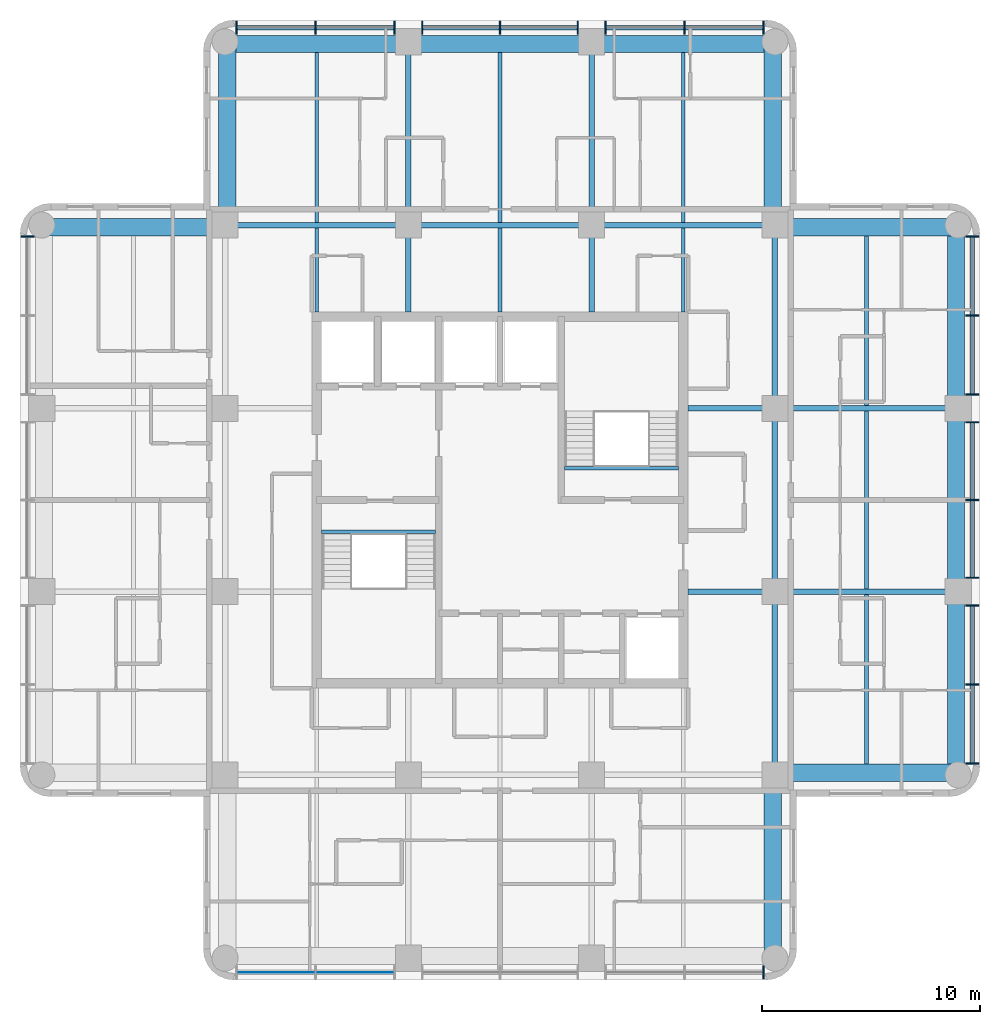
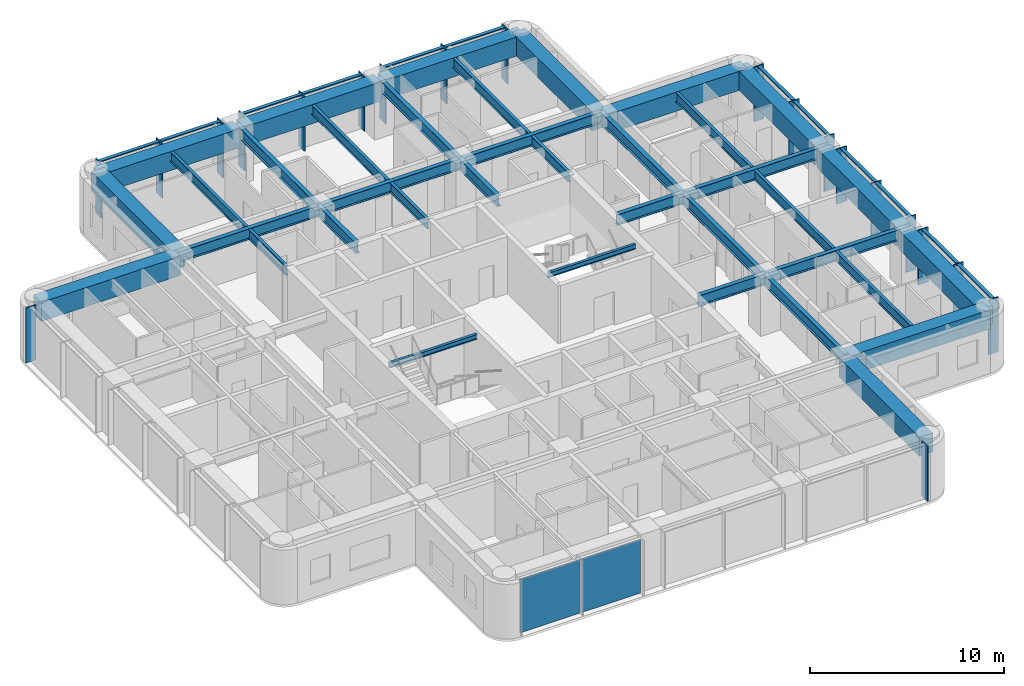
# One storey, part 2 of 10: 37 beams, 32 members, 2 plates, 4 elements without a shape of their own.
"""IFC4 building model written with IfcOpenShell, lengths in metres."""

from ifc_helpers import new_model, si_unit, direction, frame, origin, origin_2d, place, context, subcontext, project, spatial, rectangle, i_section, extrude, material, layer, layer_set, material_profile, profile_set, type_object, element, aggregate, save


model = new_model("IFC4")

# Units and contexts
model_context = context("Model", 3, precision=1e-05, world=origin(), true_north=direction((0.0, 1.0)))
body_context = subcontext(model_context, "Body", "Model", "MODEL_VIEW")
ifc_project = project(units=[si_unit("LENGTHUNIT", "METRE"), si_unit("AREAUNIT", "SQUARE_METRE"), si_unit("VOLUMEUNIT", "CUBIC_METRE"), si_unit("PLANEANGLEUNIT", "RADIAN"), si_unit("MASSUNIT", "GRAM", prefix="KILO")], contexts=[model_context])

# Site, building, storey
site_placement = place(None, origin())
site = spatial("IfcSite", under=ifc_project, at=site_placement, CompositionType="ELEMENT")
building_placement = place(site_placement, origin())
building = spatial("IfcBuilding", under=site, at=building_placement, Name="Torre Alcanfor", CompositionType="ELEMENT")
storey_placement = place(building_placement, frame((0.0, 0.0, 293.699951171875)))
storey = spatial("IfcBuildingStorey", under=building, at=storey_placement, Name="L77", CompositionType="ELEMENT", Elevation=293.699951171875)

# Curtain wall, member
ifc_material_1 = material(Name="Aluminium and glass", Category="aluminium")
curtain_wall_type = type_object("IfcCurtainWallType", Name="CW-A unitised apartment glazing with vertical FIN", PredefinedType="NOTDEFINED", material=ifc_material_1)
curtain_wall_1_placement = place(storey_placement, origin())
curtain_wall_1 = element("IfcCurtainWall", 1, at=curtain_wall_1_placement, inside=storey, type_object=curtain_wall_type, Name="Curtain wall CW-A L77 2", PredefinedType="NOTDEFINED")
ifc_material_2 = material(Name="Bronze anodised aluminium", Category="aluminium")
ifc_material_profile_1 = material_profile(ifc_material_2, rectangle(XDim=0.60009765625, YDim=0.06494140625, at=origin_2d()), Name="CW-A mullion 65x600")
ifc_profile_set_1 = profile_set([ifc_material_profile_1], Name="Bronze anodised aluminium")
member_type_1 = type_object("IfcMemberType", Name="CW-A mullion with vertical FIN 65x600", PredefinedType="MULLION", material=ifc_profile_set_1)
member_1_placement = place(storey_placement, frame((7.75, 41.47412109375, 0.0), z_axis=(0.0, 0.0, 1.0), x_axis=(1.0, 0.0, 0.0)))
member_1 = element("IfcMember", 2, at=member_1_placement, type_object=member_type_1, Name="CW-A mullion 1.1", PredefinedType="MULLION", context=body_context, shape_type="SweptSolid", body=[
    extrude(rectangle(XDim=0.60009765625, YDim=0.06494140625, at=origin_2d()), origin(), (0.0, 0.0, 1.0), 3.449951171875),
])
aggregate(curtain_wall_1, [member_1])

curtain_wall_2_placement = place(storey_placement, origin())
curtain_wall_2 = element("IfcCurtainWall", 3, at=curtain_wall_2_placement, inside=storey, type_object=curtain_wall_type, Name="Curtain wall CW-A L77 5", PredefinedType="NOTDEFINED")
member_2_placement = place(storey_placement, frame((41.47412109375, 7.75, 0.0), z_axis=(0.0, 0.0, 1.0), x_axis=(0.0, 1.0, 0.0)))
member_2 = element("IfcMember", 4, at=member_2_placement, type_object=member_type_1, Name="CW-A mullion 3.3", PredefinedType="MULLION", context=body_context, shape_type="SweptSolid", body=[
    extrude(rectangle(XDim=0.60009765625, YDim=0.06494140625, at=origin_2d()), origin(), (0.0, 0.0, 1.0), 3.449951171875),
])

# Curtain wall, members
curtain_wall_3_placement = place(storey_placement, origin())
curtain_wall_3 = element("IfcCurtainWall", 5, at=curtain_wall_3_placement, inside=storey, type_object=curtain_wall_type, Name="Curtain wall CW-A L77 8", PredefinedType="NOTDEFINED")
member_3_placement = place(storey_placement, frame((51.050048828125, 17.325927734375, 0.0), z_axis=(0.0, 0.0, 1.0), x_axis=(-1.0, 0.0, 0.0)))
member_3 = element("IfcMember", 6, at=member_3_placement, type_object=member_type_1, Name="CW-A mullion 1.1", PredefinedType="MULLION", context=body_context, shape_type="SweptSolid", body=[
    extrude(rectangle(XDim=0.60009765625, YDim=0.06494140625, at=origin_2d()), origin(), (0.0, 0.0, 1.0), 3.449951171875),
])
member_4_placement = place(storey_placement, frame((51.050048828125, 20.9443359375, 0.0), z_axis=(0.0, 0.0, 1.0), x_axis=(-1.0, 0.0, 0.0)))
member_4 = element("IfcMember", 7, at=member_4_placement, type_object=member_type_1, Name="CW-A mullion 1.2", PredefinedType="MULLION", context=body_context, shape_type="SweptSolid", body=[
    extrude(rectangle(XDim=0.60009765625, YDim=0.06494140625, at=origin_2d()), origin(), (0.0, 0.0, 1.0), 3.449951171875),
])
member_5_placement = place(storey_placement, frame((51.050048828125, 24.5625, 0.0), z_axis=(0.0, 0.0, 1.0), x_axis=(-1.0, 0.0, 0.0)))
member_5 = element("IfcMember", 8, at=member_5_placement, type_object=member_type_1, Name="CW-A mullion 1.3", PredefinedType="MULLION", context=body_context, shape_type="SweptSolid", body=[
    extrude(rectangle(XDim=0.60009765625, YDim=0.06494140625, at=origin_2d()), origin(), (0.0, 0.0, 1.0), 3.449951171875),
])
member_6_placement = place(storey_placement, frame((51.050048828125, 25.83740234375, 0.0), z_axis=(0.0, 0.0, 1.0), x_axis=(-1.0, 0.0, 0.0)))
member_6 = element("IfcMember", 9, at=member_6_placement, type_object=member_type_1, Name="CW-A mullion 2.1", PredefinedType="MULLION", context=body_context, shape_type="SweptSolid", body=[
    extrude(rectangle(XDim=0.60009765625, YDim=0.06494140625, at=origin_2d()), origin(), (0.0, 0.0, 1.0), 3.449951171875),
])
member_7_placement = place(storey_placement, frame((51.050048828125, 29.39990234375, 0.0), z_axis=(0.0, 0.0, 1.0), x_axis=(-1.0, 0.0, 0.0)))
member_7 = element("IfcMember", 10, at=member_7_placement, type_object=member_type_1, Name="CW-A mullion 2.2", PredefinedType="MULLION", context=body_context, shape_type="SweptSolid", body=[
    extrude(rectangle(XDim=0.60009765625, YDim=0.06494140625, at=origin_2d()), origin(), (0.0, 0.0, 1.0), 3.449951171875),
])
member_8_placement = place(storey_placement, frame((51.050048828125, 32.96240234375, 0.0), z_axis=(0.0, 0.0, 1.0), x_axis=(-1.0, 0.0, 0.0)))
member_8 = element("IfcMember", 11, at=member_8_placement, type_object=member_type_1, Name="CW-A mullion 2.3", PredefinedType="MULLION", context=body_context, shape_type="SweptSolid", body=[
    extrude(rectangle(XDim=0.60009765625, YDim=0.06494140625, at=origin_2d()), origin(), (0.0, 0.0, 1.0), 3.449951171875),
])
member_9_placement = place(storey_placement, frame((51.050048828125, 34.237548828125, 0.0), z_axis=(0.0, 0.0, 1.0), x_axis=(-1.0, 0.0, 0.0)))
member_9 = element("IfcMember", 12, at=member_9_placement, type_object=member_type_1, Name="CW-A mullion 3.1", PredefinedType="MULLION", context=body_context, shape_type="SweptSolid", body=[
    extrude(rectangle(XDim=0.60009765625, YDim=0.06494140625, at=origin_2d()), origin(), (0.0, 0.0, 1.0), 3.449951171875),
])
member_10_placement = place(storey_placement, frame((51.050048828125, 37.855712890625, 0.0), z_axis=(0.0, 0.0, 1.0), x_axis=(-1.0, 0.0, 0.0)))
member_10 = element("IfcMember", 13, at=member_10_placement, type_object=member_type_1, Name="CW-A mullion 3.2", PredefinedType="MULLION", context=body_context, shape_type="SweptSolid", body=[
    extrude(rectangle(XDim=0.60009765625, YDim=0.06494140625, at=origin_2d()), origin(), (0.0, 0.0, 1.0), 3.449951171875),
])
member_11_placement = place(storey_placement, frame((51.050048828125, 41.47412109375, 0.0), z_axis=(0.0, 0.0, 1.0), x_axis=(-1.0, 0.0, 0.0)))
member_11 = element("IfcMember", 14, at=member_11_placement, type_object=member_type_1, Name="CW-A mullion 3.3", PredefinedType="MULLION", context=body_context, shape_type="SweptSolid", body=[
    extrude(rectangle(XDim=0.60009765625, YDim=0.06494140625, at=origin_2d()), origin(), (0.0, 0.0, 1.0), 3.449951171875),
])

curtain_wall_4_placement = place(storey_placement, origin())
curtain_wall_4 = element("IfcCurtainWall", 15, at=curtain_wall_4_placement, inside=storey, type_object=curtain_wall_type, Name="Curtain wall CW-A L77 11", PredefinedType="NOTDEFINED")
member_12_placement = place(storey_placement, frame((41.47412109375, 51.050048828125, 0.0), z_axis=(0.0, 0.0, 1.0), x_axis=(0.0, -1.0, 0.0)))
member_12 = element("IfcMember", 16, at=member_12_placement, type_object=member_type_1, Name="CW-A mullion 1.1", PredefinedType="MULLION", context=body_context, shape_type="SweptSolid", body=[
    extrude(rectangle(XDim=0.60009765625, YDim=0.06494140625, at=origin_2d()), origin(), (0.0, 0.0, 1.0), 3.449951171875),
])
member_13_placement = place(storey_placement, frame((37.855712890625, 51.050048828125, 0.0), z_axis=(0.0, 0.0, 1.0), x_axis=(0.0, -1.0, 0.0)))
member_13 = element("IfcMember", 17, at=member_13_placement, type_object=member_type_1, Name="CW-A mullion 1.2", PredefinedType="MULLION", context=body_context, shape_type="SweptSolid", body=[
    extrude(rectangle(XDim=0.60009765625, YDim=0.06494140625, at=origin_2d()), origin(), (0.0, 0.0, 1.0), 3.449951171875),
])
member_14_placement = place(storey_placement, frame((34.237548828125, 51.050048828125, 0.0), z_axis=(0.0, 0.0, 1.0), x_axis=(0.0, -1.0, 0.0)))
member_14 = element("IfcMember", 18, at=member_14_placement, type_object=member_type_1, Name="CW-A mullion 1.3", PredefinedType="MULLION", context=body_context, shape_type="SweptSolid", body=[
    extrude(rectangle(XDim=0.60009765625, YDim=0.06494140625, at=origin_2d()), origin(), (0.0, 0.0, 1.0), 3.449951171875),
])
member_15_placement = place(storey_placement, frame((32.96240234375, 51.050048828125, 0.0), z_axis=(0.0, 0.0, 1.0), x_axis=(0.0, -1.0, 0.0)))
member_15 = element("IfcMember", 19, at=member_15_placement, type_object=member_type_1, Name="CW-A mullion 2.1", PredefinedType="MULLION", context=body_context, shape_type="SweptSolid", body=[
    extrude(rectangle(XDim=0.60009765625, YDim=0.06494140625, at=origin_2d()), origin(), (0.0, 0.0, 1.0), 3.449951171875),
])
member_16_placement = place(storey_placement, frame((29.39990234375, 51.050048828125, 0.0), z_axis=(0.0, 0.0, 1.0), x_axis=(0.0, -1.0, 0.0)))
member_16 = element("IfcMember", 20, at=member_16_placement, type_object=member_type_1, Name="CW-A mullion 2.2", PredefinedType="MULLION", context=body_context, shape_type="SweptSolid", body=[
    extrude(rectangle(XDim=0.60009765625, YDim=0.06494140625, at=origin_2d()), origin(), (0.0, 0.0, 1.0), 3.449951171875),
])
member_17_placement = place(storey_placement, frame((25.83740234375, 51.050048828125, 0.0), z_axis=(0.0, 0.0, 1.0), x_axis=(0.0, -1.0, 0.0)))
member_17 = element("IfcMember", 21, at=member_17_placement, type_object=member_type_1, Name="CW-A mullion 2.3", PredefinedType="MULLION", context=body_context, shape_type="SweptSolid", body=[
    extrude(rectangle(XDim=0.60009765625, YDim=0.06494140625, at=origin_2d()), origin(), (0.0, 0.0, 1.0), 3.449951171875),
])
member_18_placement = place(storey_placement, frame((24.5625, 51.050048828125, 0.0), z_axis=(0.0, 0.0, 1.0), x_axis=(0.0, -1.0, 0.0)))
member_18 = element("IfcMember", 22, at=member_18_placement, type_object=member_type_1, Name="CW-A mullion 3.1", PredefinedType="MULLION", context=body_context, shape_type="SweptSolid", body=[
    extrude(rectangle(XDim=0.60009765625, YDim=0.06494140625, at=origin_2d()), origin(), (0.0, 0.0, 1.0), 3.449951171875),
])
member_19_placement = place(storey_placement, frame((20.9443359375, 51.050048828125, 0.0), z_axis=(0.0, 0.0, 1.0), x_axis=(0.0, -1.0, 0.0)))
member_19 = element("IfcMember", 23, at=member_19_placement, type_object=member_type_1, Name="CW-A mullion 3.2", PredefinedType="MULLION", context=body_context, shape_type="SweptSolid", body=[
    extrude(rectangle(XDim=0.60009765625, YDim=0.06494140625, at=origin_2d()), origin(), (0.0, 0.0, 1.0), 3.449951171875),
])
member_20_placement = place(storey_placement, frame((17.325927734375, 51.050048828125, 0.0), z_axis=(0.0, 0.0, 1.0), x_axis=(0.0, -1.0, 0.0)))
member_20 = element("IfcMember", 24, at=member_20_placement, type_object=member_type_1, Name="CW-A mullion 3.3", PredefinedType="MULLION", context=body_context, shape_type="SweptSolid", body=[
    extrude(rectangle(XDim=0.60009765625, YDim=0.06494140625, at=origin_2d()), origin(), (0.0, 0.0, 1.0), 3.449951171875),
])

# Member
ifc_material_3 = material(Name="Extruded aluminium", Category="aluminium")
ifc_material_profile_2 = material_profile(ifc_material_3, rectangle(XDim=0.199951171875, YDim=0.06494140625, at=origin_2d()), Name="CW-A transom 200x65")
ifc_profile_set_2 = profile_set([ifc_material_profile_2], Name="Extruded aluminium")
member_type_2 = type_object("IfcMemberType", Name="CW-A transom 65x200", PredefinedType="USERDEFINED", material=ifc_profile_set_2)
member_21_placement = place(storey_placement, frame((51.050048828125, 17.3583984375, 3.41748046875), z_axis=(0.0, 1.0, 0.0), x_axis=(-1.0, 0.0, 0.0)))
member_21 = element("IfcMember", 25, at=member_21_placement, type_object=member_type_2, Name="CW-A transom 1.1.2", ObjectType="TRANSOM", PredefinedType="USERDEFINED", context=body_context, shape_type="SweptSolid", body=[
    extrude(rectangle(XDim=0.199951171875, YDim=0.06494140625, at=origin_2d()), origin(), (0.0, 0.0, 1.0), 3.553466796875),
])

member_22_placement = place(storey_placement, frame((51.050048828125, 20.976806640625, 3.41748046875), z_axis=(0.0, 1.0, 0.0), x_axis=(-1.0, 0.0, 0.0)))
member_22 = element("IfcMember", 26, at=member_22_placement, type_object=member_type_2, Name="CW-A transom 1.2.2", ObjectType="TRANSOM", PredefinedType="USERDEFINED", context=body_context, shape_type="SweptSolid", body=[
    extrude(rectangle(XDim=0.199951171875, YDim=0.06494140625, at=origin_2d()), origin(), (0.0, 0.0, 1.0), 3.55322265625),
])

member_23_placement = place(storey_placement, frame((51.050048828125, 25.8701171875, 3.41748046875), z_axis=(0.0, 1.0, 0.0), x_axis=(-1.0, 0.0, 0.0)))
member_23 = element("IfcMember", 27, at=member_23_placement, type_object=member_type_2, Name="CW-A transom 2.1.2", ObjectType="TRANSOM", PredefinedType="USERDEFINED", context=body_context, shape_type="SweptSolid", body=[
    extrude(rectangle(XDim=0.199951171875, YDim=0.06494140625, at=origin_2d()), origin(), (0.0, 0.0, 1.0), 3.497314453125),
])

member_24_placement = place(storey_placement, frame((51.050048828125, 29.4326171875, 3.41748046875), z_axis=(0.0, 1.0, 0.0), x_axis=(-1.0, 0.0, 0.0)))
member_24 = element("IfcMember", 28, at=member_24_placement, type_object=member_type_2, Name="CW-A transom 2.2.2", ObjectType="TRANSOM", PredefinedType="USERDEFINED", context=body_context, shape_type="SweptSolid", body=[
    extrude(rectangle(XDim=0.199951171875, YDim=0.06494140625, at=origin_2d()), origin(), (0.0, 0.0, 1.0), 3.497314453125),
])

member_25_placement = place(storey_placement, frame((51.050048828125, 34.27001953125, 3.41748046875), z_axis=(0.0, 1.0, 0.0), x_axis=(-1.0, 0.0, 0.0)))
member_25 = element("IfcMember", 29, at=member_25_placement, type_object=member_type_2, Name="CW-A transom 3.1.2", ObjectType="TRANSOM", PredefinedType="USERDEFINED", context=body_context, shape_type="SweptSolid", body=[
    extrude(rectangle(XDim=0.199951171875, YDim=0.06494140625, at=origin_2d()), origin(), (0.0, 0.0, 1.0), 3.55322265625),
])

member_26_placement = place(storey_placement, frame((51.050048828125, 37.88818359375, 3.41748046875), z_axis=(0.0, 1.0, 0.0), x_axis=(-1.0, 0.0, 0.0)))
member_26 = element("IfcMember", 30, at=member_26_placement, type_object=member_type_2, Name="CW-A transom 3.2.2", ObjectType="TRANSOM", PredefinedType="USERDEFINED", context=body_context, shape_type="SweptSolid", body=[
    extrude(rectangle(XDim=0.199951171875, YDim=0.06494140625, at=origin_2d()), origin(), (0.0, 0.0, 1.0), 3.55322265625),
])

aggregate(curtain_wall_3, [member_3, member_4, member_5, member_21, member_22, member_6, member_7, member_8, member_23, member_24, member_9, member_10, member_11, member_25, member_26])

member_27_placement = place(storey_placement, frame((41.44140625, 51.050048828125, 3.41748046875), z_axis=(-1.0, 0.0, 0.0), x_axis=(0.0, -1.0, 0.0)))
member_27 = element("IfcMember", 31, at=member_27_placement, type_object=member_type_2, Name="CW-A transom 1.1.2", ObjectType="TRANSOM", PredefinedType="USERDEFINED", context=body_context, shape_type="SweptSolid", body=[
    extrude(rectangle(XDim=0.199951171875, YDim=0.06494140625, at=origin_2d()), origin(), (0.0, 0.0, 1.0), 3.55322265625),
])

member_28_placement = place(storey_placement, frame((37.8232421875, 51.050048828125, 3.41748046875), z_axis=(-1.0, 0.0, 0.0), x_axis=(0.0, -1.0, 0.0)))
member_28 = element("IfcMember", 32, at=member_28_placement, type_object=member_type_2, Name="CW-A transom 1.2.2", ObjectType="TRANSOM", PredefinedType="USERDEFINED", context=body_context, shape_type="SweptSolid", body=[
    extrude(rectangle(XDim=0.199951171875, YDim=0.06494140625, at=origin_2d()), origin(), (0.0, 0.0, 1.0), 3.55322265625),
])

member_29_placement = place(storey_placement, frame((32.929931640625, 51.050048828125, 3.41748046875), z_axis=(-1.0, 0.0, 0.0), x_axis=(0.0, -1.0, 0.0)))
member_29 = element("IfcMember", 33, at=member_29_placement, type_object=member_type_2, Name="CW-A transom 2.1.2", ObjectType="TRANSOM", PredefinedType="USERDEFINED", context=body_context, shape_type="SweptSolid", body=[
    extrude(rectangle(XDim=0.199951171875, YDim=0.06494140625, at=origin_2d()), origin(), (0.0, 0.0, 1.0), 3.497314453125),
])

member_30_placement = place(storey_placement, frame((29.367431640625, 51.050048828125, 3.41748046875), z_axis=(-1.0, 0.0, 0.0), x_axis=(0.0, -1.0, 0.0)))
member_30 = element("IfcMember", 34, at=member_30_placement, type_object=member_type_2, Name="CW-A transom 2.2.2", ObjectType="TRANSOM", PredefinedType="USERDEFINED", context=body_context, shape_type="SweptSolid", body=[
    extrude(rectangle(XDim=0.199951171875, YDim=0.06494140625, at=origin_2d()), origin(), (0.0, 0.0, 1.0), 3.497314453125),
])

member_31_placement = place(storey_placement, frame((24.530029296875, 51.050048828125, 3.41748046875), z_axis=(-1.0, 0.0, 0.0), x_axis=(0.0, -1.0, 0.0)))
member_31 = element("IfcMember", 35, at=member_31_placement, type_object=member_type_2, Name="CW-A transom 3.1.2", ObjectType="TRANSOM", PredefinedType="USERDEFINED", context=body_context, shape_type="SweptSolid", body=[
    extrude(rectangle(XDim=0.199951171875, YDim=0.06494140625, at=origin_2d()), origin(), (0.0, 0.0, 1.0), 3.55322265625),
])

member_32_placement = place(storey_placement, frame((20.911865234375, 51.050048828125, 3.41748046875), z_axis=(-1.0, 0.0, 0.0), x_axis=(0.0, -1.0, 0.0)))
member_32 = element("IfcMember", 36, at=member_32_placement, type_object=member_type_2, Name="CW-A transom 3.2.2", ObjectType="TRANSOM", PredefinedType="USERDEFINED", context=body_context, shape_type="SweptSolid", body=[
    extrude(rectangle(XDim=0.199951171875, YDim=0.06494140625, at=origin_2d()), origin(), (0.0, 0.0, 1.0), 3.553466796875),
])

aggregate(curtain_wall_4, [member_12, member_13, member_14, member_27, member_28, member_15, member_16, member_17, member_29, member_30, member_18, member_19, member_20, member_31, member_32])

# Beams
ifc_material_4 = material(Name="Steel ASTM A992 Grade 50", Category="steel")
ifc_material_profile_3 = material_profile(ifc_material_4, i_section(OverallWidth=0.25390625, OverallDepth=0.683349609375, WebThickness=0.012451171875, FlangeThickness=0.01904296875, at=origin_2d()), Name="W27x94")
ifc_profile_set_3 = profile_set([ifc_material_profile_3], Name="Steel ASTM A992 Grade 50")
beam_type_1 = type_object("IfcBeamType", Name="Girder W27x94", PredefinedType="BEAM", material=ifc_profile_set_3)
for number, where, z_axis, x_axis, name in (
    (37, (42.0, 25.199951171875, 3.1083984375), (1.0, 0.0, 0.0), (0.0, 1.0, 0.0), "Beam 6F-7F under L78"),
    (38, (42.0, 33.60009765625, 3.1083984375), (1.0, 0.0, 0.0), (0.0, 1.0, 0.0), "Beam 6G-7G under L78"),
    (39, (16.800048828125, 42.0, 3.1083984375), (1.0, 0.0, 0.0), (0.0, 1.0, 0.0), "Beam 3H-4H under L78"),
):
    element("IfcBeam", number, at=place(storey_placement, frame(where, z_axis=z_axis, x_axis=x_axis)), inside=storey, type_object=beam_type_1, Name=name, PredefinedType="BEAM", context=body_context, shape_type="SweptSolid", body=[
        extrude(i_section(OverallWidth=0.25390625, OverallDepth=0.683349609375, WebThickness=0.012451171875, FlangeThickness=0.01904296875, at=origin_2d()), origin(), (0.0, 0.0, 1.0), 8.39990234375),
    ])
beam_1_placement = place(storey_placement, frame((25.199951171875, 42.0, 3.1083984375), z_axis=(1.0, 0.0, 0.0), x_axis=(0.0, 1.0, 0.0)))
element("IfcBeam", 40, at=beam_1_placement, inside=storey, type_object=beam_type_1, Name="Beam 4H-5H under L78", PredefinedType="BEAM", context=body_context, shape_type="SweptSolid", body=[
    extrude(i_section(OverallWidth=0.25390625, OverallDepth=0.683349609375, WebThickness=0.012451171875, FlangeThickness=0.01904296875, at=origin_2d()), origin(), (0.0, 0.0, 1.0), 8.400146484375),
])
for number, where, z_axis, x_axis, name in (
    (41, (33.60009765625, 42.0, 3.1083984375), (1.0, 0.0, 0.0), (0.0, 1.0, 0.0), "Beam 5H-6H under L78"),
    (42, (25.199951171875, 42.0, 3.1083984375), (0.0, 1.0, 0.0), (-1.0, 0.0, 0.0), "Beam 4H-4J under L78"),
    (43, (33.60009765625, 42.0, 3.1083984375), (0.0, 1.0, 0.0), (-1.0, 0.0, 0.0), "Beam 5H-5J under L78"),
    (44, (42.0, 16.800048828125, 3.1083984375), (0.0, 1.0, 0.0), (-1.0, 0.0, 0.0), "Beam 6E-6F under L78"),
):
    element("IfcBeam", number, at=place(storey_placement, frame(where, z_axis=z_axis, x_axis=x_axis)), inside=storey, type_object=beam_type_1, Name=name, PredefinedType="BEAM", context=body_context, shape_type="SweptSolid", body=[
        extrude(i_section(OverallWidth=0.25390625, OverallDepth=0.683349609375, WebThickness=0.012451171875, FlangeThickness=0.01904296875, at=origin_2d()), origin(), (0.0, 0.0, 1.0), 8.39990234375),
    ])
beam_2_placement = place(storey_placement, frame((42.0, 25.199951171875, 3.1083984375), z_axis=(0.0, 1.0, 0.0), x_axis=(-1.0, 0.0, 0.0)))
element("IfcBeam", 45, at=beam_2_placement, inside=storey, type_object=beam_type_1, Name="Beam 6F-6G under L78", PredefinedType="BEAM", context=body_context, shape_type="SweptSolid", body=[
    extrude(i_section(OverallWidth=0.25390625, OverallDepth=0.683349609375, WebThickness=0.012451171875, FlangeThickness=0.01904296875, at=origin_2d()), origin(), (0.0, 0.0, 1.0), 8.400146484375),
])
beam_3_placement = place(storey_placement, frame((42.0, 33.60009765625, 3.1083984375), z_axis=(0.0, 1.0, 0.0), x_axis=(-1.0, 0.0, 0.0)))
element("IfcBeam", 46, at=beam_3_placement, inside=storey, type_object=beam_type_1, Name="Beam 6G-6H under L78", PredefinedType="BEAM", context=body_context, shape_type="SweptSolid", body=[
    extrude(i_section(OverallWidth=0.25390625, OverallDepth=0.683349609375, WebThickness=0.012451171875, FlangeThickness=0.01904296875, at=origin_2d()), origin(), (0.0, 0.0, 1.0), 8.39990234375),
])
ifc_material_5 = material(Name="Steel ASTM A992 Grade 50", Category="steel")
ifc_material_profile_4 = material_profile(ifc_material_5, i_section(OverallWidth=0.25390625, OverallDepth=0.683349609375, WebThickness=0.012451171875, FlangeThickness=0.01904296875, at=origin_2d()), Name="W27x94")
ifc_profile_set_4 = profile_set([ifc_material_profile_4], Name="Steel ASTM A992 Grade 50")
beam_type_2 = type_object("IfcBeamType", Name="Girder, part bay W27x94", PredefinedType="BEAM", material=ifc_profile_set_4)
for number, where, z_axis, x_axis, name in (
    (47, (25.199951171875, 42.0, 3.1083984375), (0.0, -1.0, 0.0), (1.0, 0.0, 0.0), "Beam 4H-438_025 under L78"),
    (48, (33.60009765625, 42.0, 3.1083984375), (0.0, -1.0, 0.0), (1.0, 0.0, 0.0), "Beam 5H-538_025 under L78"),
    (49, (42.0, 25.199951171875, 3.1083984375), (-1.0, 0.0, 0.0), (0.0, -1.0, 0.0), "Beam 6F-38_025F under L78"),
    (50, (42.0, 33.60009765625, 3.1083984375), (-1.0, 0.0, 0.0), (0.0, -1.0, 0.0), "Beam 6G-38_025G under L78"),
):
    element("IfcBeam", number, at=place(storey_placement, frame(where, z_axis=z_axis, x_axis=x_axis)), inside=storey, type_object=beam_type_2, Name=name, PredefinedType="BEAM", context=body_context, shape_type="SweptSolid", body=[
        extrude(i_section(OverallWidth=0.25390625, OverallDepth=0.683349609375, WebThickness=0.012451171875, FlangeThickness=0.01904296875, at=origin_2d()), origin(), (0.0, 0.0, 1.0), 3.97509765625),
    ])
ifc_material_6 = material(Name="Concrete f'c 70 MPa", Category="concrete")
ifc_material_profile_5 = material_profile(ifc_material_6, rectangle(XDim=0.800048828125, YDim=1.199951171875, at=origin_2d()), Name="800x1200")
ifc_profile_set_5 = profile_set([ifc_material_profile_5], Name="Concrete f'c 70 MPa")
beam_type_3 = type_object("IfcBeamType", Name="RC perimeter beam 800x1200", PredefinedType="BEAM", material=ifc_profile_set_5)
beam_4_placement = place(storey_placement, frame((42.126953125, 16.89990234375, 2.85009765625), z_axis=(1.0, 0.0, 0.0), x_axis=(0.0, 1.0, 0.0)))
element("IfcBeam", 51, at=beam_4_placement, inside=storey, type_object=beam_type_3, Name="Beam 6E-7E under L78", PredefinedType="BEAM", context=body_context, shape_type="SweptSolid", body=[
    extrude(rectangle(XDim=0.800048828125, YDim=1.199951171875, at=origin_2d()), origin(), (0.0, 0.0, 1.0), 8.27294921875),
])
beam_5_placement = place(storey_placement, frame((8.39990234375, 41.89990234375, 2.85009765625), z_axis=(1.0, 0.0, 0.0), x_axis=(0.0, 1.0, 0.0)))
element("IfcBeam", 52, at=beam_5_placement, inside=storey, type_object=beam_type_3, Name="Beam 2H-3H under L78", PredefinedType="BEAM", context=body_context, shape_type="SweptSolid", body=[
    extrude(rectangle(XDim=0.800048828125, YDim=1.199951171875, at=origin_2d()), origin(), (0.0, 0.0, 1.0), 8.273193359375),
])
for number, where, z_axis, x_axis, name in (
    (53, (42.126953125, 41.89990234375, 2.85009765625), (1.0, 0.0, 0.0), (0.0, 1.0, 0.0), "Beam 6H-7H under L78"),
    (54, (16.800048828125, 50.300048828125, 2.85009765625), (1.0, 0.0, 0.0), (0.0, 1.0, 0.0), "Beam 3J-4J under L78"),
):
    element("IfcBeam", number, at=place(storey_placement, frame(where, z_axis=z_axis, x_axis=x_axis)), inside=storey, type_object=beam_type_3, Name=name, PredefinedType="BEAM", context=body_context, shape_type="SweptSolid", body=[
        extrude(rectangle(XDim=0.800048828125, YDim=1.199951171875, at=origin_2d()), origin(), (0.0, 0.0, 1.0), 8.27294921875),
    ])
beam_6_placement = place(storey_placement, frame((25.326904296875, 50.300048828125, 2.85009765625), z_axis=(1.0, 0.0, 0.0), x_axis=(0.0, 1.0, 0.0)))
element("IfcBeam", 55, at=beam_6_placement, inside=storey, type_object=beam_type_3, Name="Beam 4J-5J under L78", PredefinedType="BEAM", context=body_context, shape_type="SweptSolid", body=[
    extrude(rectangle(XDim=0.800048828125, YDim=1.199951171875, at=origin_2d()), origin(), (0.0, 0.0, 1.0), 8.14599609375),
])
for number, where, z_axis, x_axis, name in (
    (56, (33.72705078125, 50.300048828125, 2.85009765625), (1.0, 0.0, 0.0), (0.0, 1.0, 0.0), "Beam 5J-6J under L78"),
    (57, (16.89990234375, 42.126953125, 2.85009765625), (0.0, 1.0, 0.0), (-1.0, 0.0, 0.0), "Beam 3H-3J under L78"),
):
    element("IfcBeam", number, at=place(storey_placement, frame(where, z_axis=z_axis, x_axis=x_axis)), inside=storey, type_object=beam_type_3, Name=name, PredefinedType="BEAM", context=body_context, shape_type="SweptSolid", body=[
        extrude(rectangle(XDim=0.800048828125, YDim=1.199951171875, at=origin_2d()), origin(), (0.0, 0.0, 1.0), 8.27294921875),
    ])
beam_7_placement = place(storey_placement, frame((41.89990234375, 8.39990234375, 2.85009765625), z_axis=(0.0, 1.0, 0.0), x_axis=(-1.0, 0.0, 0.0)))
element("IfcBeam", 58, at=beam_7_placement, inside=storey, type_object=beam_type_3, Name="Beam 6D-6E under L78", PredefinedType="BEAM", context=body_context, shape_type="SweptSolid", body=[
    extrude(rectangle(XDim=0.800048828125, YDim=1.199951171875, at=origin_2d()), origin(), (0.0, 0.0, 1.0), 8.273193359375),
])
for number, where, z_axis, x_axis, name in (
    (59, (41.89990234375, 42.126953125, 2.85009765625), (0.0, 1.0, 0.0), (-1.0, 0.0, 0.0), "Beam 6H-6J under L78"),
    (60, (50.300048828125, 16.800048828125, 2.85009765625), (0.0, 1.0, 0.0), (-1.0, 0.0, 0.0), "Beam 7E-7F under L78"),
):
    element("IfcBeam", number, at=place(storey_placement, frame(where, z_axis=z_axis, x_axis=x_axis)), inside=storey, type_object=beam_type_3, Name=name, PredefinedType="BEAM", context=body_context, shape_type="SweptSolid", body=[
        extrude(rectangle(XDim=0.800048828125, YDim=1.199951171875, at=origin_2d()), origin(), (0.0, 0.0, 1.0), 8.27294921875),
    ])
beam_8_placement = place(storey_placement, frame((50.300048828125, 25.326904296875, 2.85009765625), z_axis=(0.0, 1.0, 0.0), x_axis=(-1.0, 0.0, 0.0)))
element("IfcBeam", 61, at=beam_8_placement, inside=storey, type_object=beam_type_3, Name="Beam 7F-7G under L78", PredefinedType="BEAM", context=body_context, shape_type="SweptSolid", body=[
    extrude(rectangle(XDim=0.800048828125, YDim=1.199951171875, at=origin_2d()), origin(), (0.0, 0.0, 1.0), 8.14599609375),
])
beam_9_placement = place(storey_placement, frame((50.300048828125, 33.72705078125, 2.85009765625), z_axis=(0.0, 1.0, 0.0), x_axis=(-1.0, 0.0, 0.0)))
element("IfcBeam", 62, at=beam_9_placement, inside=storey, type_object=beam_type_3, Name="Beam 7G-7H under L78", PredefinedType="BEAM", context=body_context, shape_type="SweptSolid", body=[
    extrude(rectangle(XDim=0.800048828125, YDim=1.199951171875, at=origin_2d()), origin(), (0.0, 0.0, 1.0), 8.27294921875),
])
ifc_material_7 = material(Name="Steel ASTM A992 Grade 50", Category="steel")
ifc_material_profile_6 = material_profile(ifc_material_7, i_section(OverallWidth=0.1787109375, OverallDepth=0.60205078125, WebThickness=0.010986328125, FlangeThickness=0.014892578125, at=origin_2d()), Name="W24x62")
ifc_profile_set_6 = profile_set([ifc_material_profile_6], Name="Steel ASTM A992 Grade 50")
beam_type_4 = type_object("IfcBeamType", Name="Secondary beam W24x62", PredefinedType="BEAM", material=ifc_profile_set_6)
for number, where, z_axis, x_axis, name in (
    (63, (21.0, 42.126953125, 3.149169921875), (0.0, 1.0, 0.0), (-1.0, 0.0, 0.0), "Beam 21H-21J under L78"),
    (64, (29.39990234375, 42.126953125, 3.149169921875), (0.0, 1.0, 0.0), (-1.0, 0.0, 0.0), "Beam 29_4H-29_4J under L78"),
    (65, (37.800048828125, 42.126953125, 3.149169921875), (0.0, 1.0, 0.0), (-1.0, 0.0, 0.0), "Beam 37_8H-37_8J under L78"),
    (66, (46.199951171875, 17.300048828125, 3.149169921875), (0.0, 1.0, 0.0), (-1.0, 0.0, 0.0), "Beam 46_2E-46_2F under L78"),
):
    element("IfcBeam", number, at=place(storey_placement, frame(where, z_axis=z_axis, x_axis=x_axis)), inside=storey, type_object=beam_type_4, Name=name, PredefinedType="BEAM", context=body_context, shape_type="SweptSolid", body=[
        extrude(i_section(OverallWidth=0.1787109375, OverallDepth=0.60205078125, WebThickness=0.010986328125, FlangeThickness=0.014892578125, at=origin_2d()), origin(), (0.0, 0.0, 1.0), 7.77294921875),
    ])
beam_10_placement = place(storey_placement, frame((46.199951171875, 25.326904296875, 3.149169921875), z_axis=(0.0, 1.0, 0.0), x_axis=(-1.0, 0.0, 0.0)))
element("IfcBeam", 67, at=beam_10_placement, inside=storey, type_object=beam_type_4, Name="Beam 46_2F-46_2G under L78", PredefinedType="BEAM", context=body_context, shape_type="SweptSolid", body=[
    extrude(i_section(OverallWidth=0.1787109375, OverallDepth=0.60205078125, WebThickness=0.010986328125, FlangeThickness=0.014892578125, at=origin_2d()), origin(), (0.0, 0.0, 1.0), 8.14599609375),
])
beam_11_placement = place(storey_placement, frame((46.199951171875, 33.72705078125, 3.149169921875), z_axis=(0.0, 1.0, 0.0), x_axis=(-1.0, 0.0, 0.0)))
element("IfcBeam", 68, at=beam_11_placement, inside=storey, type_object=beam_type_4, Name="Beam 46_2G-46_2H under L78", PredefinedType="BEAM", context=body_context, shape_type="SweptSolid", body=[
    extrude(i_section(OverallWidth=0.1787109375, OverallDepth=0.60205078125, WebThickness=0.010986328125, FlangeThickness=0.014892578125, at=origin_2d()), origin(), (0.0, 0.0, 1.0), 7.77294921875),
])
ifc_material_8 = material(Name="Steel ASTM A992 Grade 50", Category="steel")
ifc_material_profile_7 = material_profile(ifc_material_8, i_section(OverallWidth=0.1787109375, OverallDepth=0.60205078125, WebThickness=0.010986328125, FlangeThickness=0.014892578125, at=origin_2d()), Name="W24x62")
ifc_profile_set_7 = profile_set([ifc_material_profile_7], Name="Steel ASTM A992 Grade 50")
beam_type_5 = type_object("IfcBeamType", Name="Secondary beam, part bay W24x62", PredefinedType="BEAM", material=ifc_profile_set_7)
for number, where, z_axis, x_axis, name in (
    (69, (21.0, 38.02490234375, 3.149169921875), (0.0, 1.0, 0.0), (-1.0, 0.0, 0.0), "Beam 2138_025-21H under L78"),
    (70, (29.39990234375, 38.02490234375, 3.149169921875), (0.0, 1.0, 0.0), (-1.0, 0.0, 0.0), "Beam 29_438_025-29_4H under L78"),
    (71, (37.800048828125, 38.02490234375, 3.149169921875), (0.0, 1.0, 0.0), (-1.0, 0.0, 0.0), "Beam 37_838_025-37_8H under L78"),
):
    element("IfcBeam", number, at=place(storey_placement, frame(where, z_axis=z_axis, x_axis=x_axis)), inside=storey, type_object=beam_type_5, Name=name, PredefinedType="BEAM", context=body_context, shape_type="SweptSolid", body=[
        extrude(i_section(OverallWidth=0.1787109375, OverallDepth=0.60205078125, WebThickness=0.010986328125, FlangeThickness=0.014892578125, at=origin_2d()), origin(), (0.0, 0.0, 1.0), 3.84814453125),
    ])
ifc_material_9 = material(Name="Steel ASTM A992 Grade 50", Category="steel")
ifc_material_profile_8 = material_profile(ifc_material_9, i_section(OverallWidth=0.164794921875, OverallDepth=0.309814453125, WebThickness=0.005859375, FlangeThickness=0.009765625, at=origin_2d()), Name="W12x26")
ifc_profile_set_8 = profile_set([ifc_material_profile_8], Name="Steel ASTM A992 Grade 50")
beam_type_6 = type_object("IfcBeamType", Name="Stair landing beam W12x26", PredefinedType="BEAM", material=ifc_profile_set_8)
for number, where, z_axis, x_axis, name in (
    (72, (21.22509765625, 27.9375, 3.2451171875), (1.0, 0.0, 0.0), (0.0, 1.0, 0.0), "Landing trimmer S1 L78"),
    (73, (32.35009765625, 30.862548828125, 3.2451171875), (1.0, 0.0, 0.0), (0.0, 1.0, 0.0), "Landing trimmer S2 L78"),
):
    element("IfcBeam", number, at=place(storey_placement, frame(where, z_axis=z_axis, x_axis=x_axis)), inside=storey, type_object=beam_type_6, Name=name, PredefinedType="BEAM", context=body_context, shape_type="SweptSolid", body=[
        extrude(i_section(OverallWidth=0.164794921875, OverallDepth=0.309814453125, WebThickness=0.005859375, FlangeThickness=0.009765625, at=origin_2d()), origin(), (0.0, 0.0, 1.0), 5.224853515625),
    ])

# Plate
ifc_material_10 = material(Name="Glass", Category="glass")
ifc_layer = layer(ifc_material_10, 0.028076171875)
ifc_layer_set = layer_set([ifc_layer], Name="CW-A clear double glazed unit")
plate_type = type_object("IfcPlateType", Name="CW-A clear double glazed unit", PredefinedType="CURTAIN_PANEL", material=ifc_layer_set)
plate_1_placement = place(storey_placement, frame((19.135009765625, 7.75, 0.0), z_axis=(0.0, 0.0, 1.0), x_axis=(1.0, 0.0, 0.0)))
plate_1 = element("IfcPlate", 74, at=plate_1_placement, type_object=plate_type, Name="CW-A panel 1.1.1", PredefinedType="CURTAIN_PANEL", context=body_context, shape_type="SweptSolid", body=[
    extrude(rectangle(XDim=3.55322265625, YDim=0.028076171875, at=origin_2d()), origin(), (0.0, 0.0, 1.0), 3.385009765625),
])

plate_2_placement = place(storey_placement, frame((22.75341796875, 7.75, 0.0), z_axis=(0.0, 0.0, 1.0), x_axis=(1.0, 0.0, 0.0)))
plate_2 = element("IfcPlate", 75, at=plate_2_placement, type_object=plate_type, Name="CW-A panel 1.2.1", PredefinedType="CURTAIN_PANEL", context=body_context, shape_type="SweptSolid", body=[
    extrude(rectangle(XDim=3.55322265625, YDim=0.028076171875, at=origin_2d()), origin(), (0.0, 0.0, 1.0), 3.385009765625),
])

aggregate(curtain_wall_2, [plate_1, plate_2, member_2])

save(model, "model.ifc")
